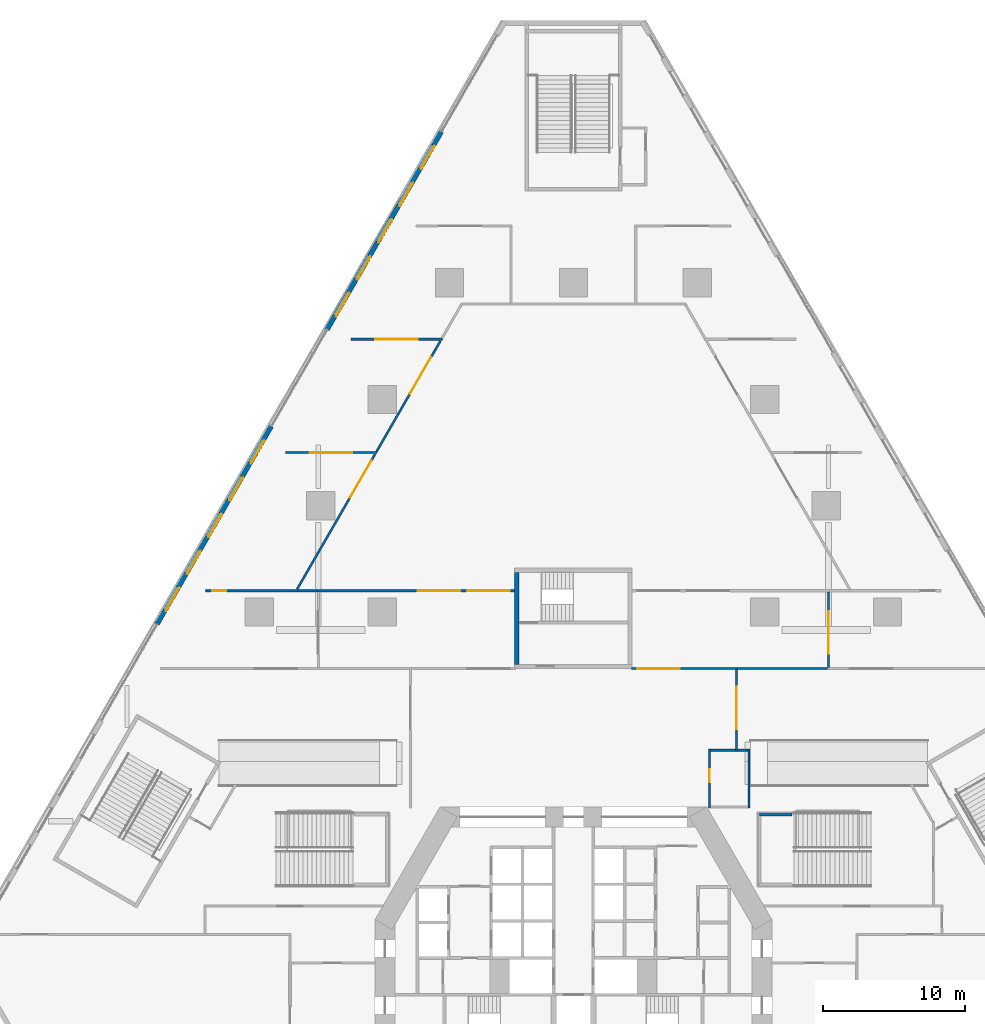
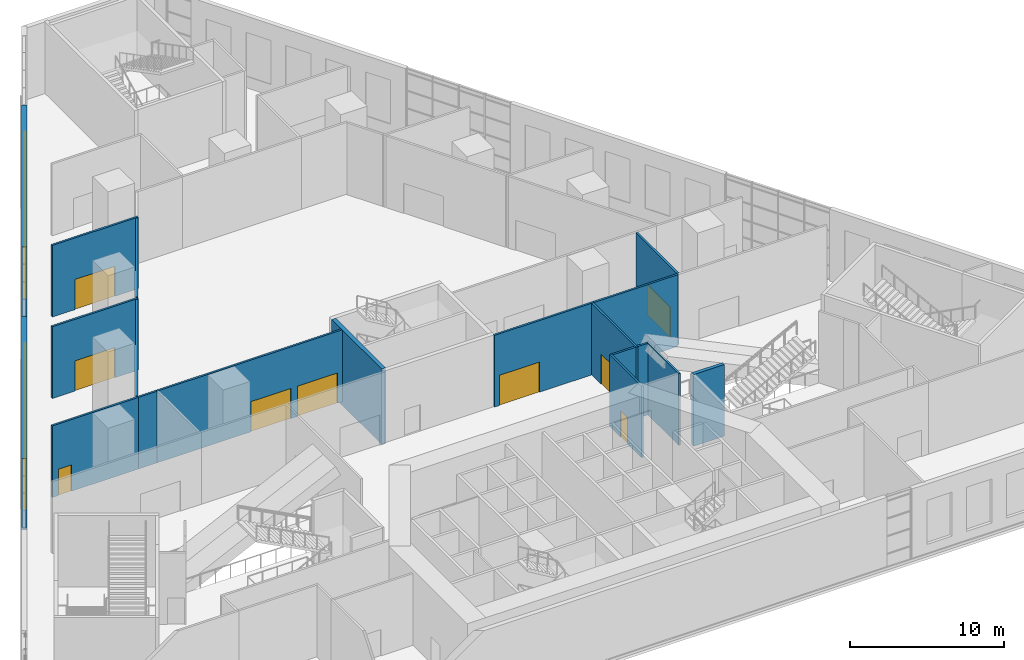
# One storey, part 17 of 27: 19 walls, 11 doors, 10 windows, 21 openings.
"""IFC4 building model written with IfcOpenShell, lengths in metres."""

from ifc_helpers import new_model, si_unit, direction, frame, frame_2d, origin, place, context, subcontext, project, spatial, rectangle, extrude, material, layer, layer_set, type_object, element, fill, save


model = new_model("IFC4")

# Units and contexts
model_context = context("Model", 3, precision=1e-05, world=origin(), true_north=direction((0.0, 1.0)))
body_context = subcontext(model_context, "Body", "Model", "MODEL_VIEW")
ifc_project = project(units=[si_unit("LENGTHUNIT", "METRE"), si_unit("AREAUNIT", "SQUARE_METRE"), si_unit("VOLUMEUNIT", "CUBIC_METRE"), si_unit("PLANEANGLEUNIT", "RADIAN"), si_unit("MASSUNIT", "GRAM", prefix="KILO")], contexts=[model_context])

# Site, building, storey
site_placement = place(None, origin())
site = spatial("IfcSite", under=ifc_project, at=site_placement, CompositionType="ELEMENT")
building_placement = place(site_placement, origin())
building = spatial("IfcBuilding", under=site, at=building_placement, Name="Fogline Exchange Tower", CompositionType="ELEMENT")
storey_placement = place(building_placement, frame((0.0, 0.0, 8.0)))
storey = spatial("IfcBuildingStorey", under=building, at=storey_placement, Name="L01", CompositionType="ELEMENT", Elevation=8.0)

# Wall
ifc_material_1 = material(Name="Concrete C40", Category="concrete")
ifc_layer_1 = layer(ifc_material_1, 0.300048828125)
ifc_layer_set_1 = layer_set([ifc_layer_1], Name="CW30")
wall_type_1 = type_object("IfcWallType", Name="CW30", PredefinedType="SOLIDWALL", material=ifc_layer_set_1)
wall_1_placement = place(storey_placement, frame((-4.0, 29.056884765625, -0.300048828125), z_axis=(0.0, 0.0, 1.0), x_axis=(0.0, 1.0, 0.0)))
element("IfcWall", 1, at=wall_1_placement, inside=storey, type_object=wall_type_1, Name="Stair enclosure wall ST3", PredefinedType="SOLIDWALL", context=body_context, shape_type="SweptSolid", body=[
    extrude(rectangle(XDim=6.5, YDim=0.300048828125, at=frame_2d((3.25, 0.0))), origin(), (0.0, 0.0, 1.0), 6.0),
])

# Wall, openings, windows
ifc_material_2 = material(Name="Brick masonry", Category="masonry")
ifc_layer_2 = layer(ifc_material_2, 0.340087890625)
ifc_layer_set_2 = layer_set([ifc_layer_2], Name="FW1")
wall_type_2 = type_object("IfcWallType", Name="FW1", PredefinedType="SOLIDWALL", material=ifc_layer_set_2)
wall_2_placement = place(storey_placement, frame((-9.323974609375, 66.648681640625, 0.0), z_axis=(0.0, 0.0, 1.0), x_axis=(-0.500010528026, -0.866019325341, 0.0)))
wall_2 = element("IfcWall", 2, at=wall_2_placement, inside=storey, type_object=wall_type_2, Name="Brick wall L01 W bay 2", PredefinedType="SOLIDWALL", context=body_context, shape_type="SweptSolid", body=[
    extrude(rectangle(XDim=16.114990234375, YDim=0.340087890625, at=frame_2d((8.0576171875, 0.0))), origin(), (0.0, 0.0, 1.0), 5.699951171875),
])
opening_1_placement = place(wall_2_placement, frame((1.114990234375, 0.0, 0.89990234375)))
opening_1 = element("IfcOpeningElement", 3, at=opening_1_placement, cuts=wall_2, Name="Opening W7", PredefinedType="OPENING", context=body_context, shape_type="SweptSolid", body=[
    extrude(rectangle(XDim=1.885009765625, YDim=3.5, at=frame_2d((0.9423828125, 1.75))), frame((0.0, 0.18017578125, 0.0), z_axis=(0.0, -1.0, 0.0), x_axis=(1.0, 0.0, 0.0)), (0.0, 0.0, 1.0), 0.360107421875),
])
opening_2_placement = place(wall_2_placement, frame((4.114990234375, 0.0, 0.89990234375)))
opening_2 = element("IfcOpeningElement", 4, at=opening_2_placement, cuts=wall_2, Name="Opening W7", PredefinedType="OPENING", context=body_context, shape_type="SweptSolid", body=[
    extrude(rectangle(XDim=1.885009765625, YDim=3.5, at=frame_2d((0.9423828125, 1.75))), frame((0.0, 0.18017578125, 0.0), z_axis=(0.0, -1.0, 0.0), x_axis=(1.0, 0.0, 0.0)), (0.0, 0.0, 1.0), 0.360107421875),
])
opening_3_placement = place(wall_2_placement, frame((7.114990234375, 0.0, 0.89990234375)))
opening_3 = element("IfcOpeningElement", 5, at=opening_3_placement, cuts=wall_2, Name="Opening W7", PredefinedType="OPENING", context=body_context, shape_type="SweptSolid", body=[
    extrude(rectangle(XDim=1.885009765625, YDim=3.5, at=frame_2d((0.9423828125, 1.75))), frame((0.0, 0.18017578125, 0.0), z_axis=(0.0, -1.0, 0.0), x_axis=(1.0, 0.0, 0.0)), (0.0, 0.0, 1.0), 0.360107421875),
])
opening_4_placement = place(wall_2_placement, frame((10.114990234375, 0.0, 0.89990234375)))
opening_4 = element("IfcOpeningElement", 6, at=opening_4_placement, cuts=wall_2, Name="Opening W7", PredefinedType="OPENING", context=body_context, shape_type="SweptSolid", body=[
    extrude(rectangle(XDim=1.885009765625, YDim=3.5, at=frame_2d((0.9423828125, 1.75))), frame((0.0, 0.18017578125, 0.0), z_axis=(0.0, -1.0, 0.0), x_axis=(1.0, 0.0, 0.0)), (0.0, 0.0, 1.0), 0.360107421875),
])
opening_5_placement = place(wall_2_placement, frame((13.114990234375, 0.0, 0.89990234375)))
opening_5 = element("IfcOpeningElement", 7, at=opening_5_placement, cuts=wall_2, Name="Opening W7", PredefinedType="OPENING", context=body_context, shape_type="SweptSolid", body=[
    extrude(rectangle(XDim=1.885009765625, YDim=3.5, at=frame_2d((0.9423828125, 1.75))), frame((0.0, 0.18017578125, 0.0), z_axis=(0.0, -1.0, 0.0), x_axis=(1.0, 0.0, 0.0)), (0.0, 0.0, 1.0), 0.360107421875),
])
ifc_material_3 = material(Name="Aluminium and glass", Category="aluminium")
window_type = type_object("IfcWindowType", Name="W7", PartitioningType="SINGLE_PANEL", PredefinedType="WINDOW", material=ifc_material_3)
window_1_placement = place(opening_1_placement, origin())
window_1 = element("IfcWindow", 8, at=window_1_placement, inside=storey, type_object=window_type, Name="W7 W7", OverallHeight=3.5, OverallWidth=1.885009765625, PartitioningType="SINGLE_PANEL", PredefinedType="WINDOW", context=body_context, shape_type="SweptSolid", body=[
    extrude(rectangle(XDim=1.885009765625, YDim=3.5, at=frame_2d((0.9423828125, 1.75))), frame((0.0, 0.110107421875, 0.0), z_axis=(0.0, -1.0, 0.0), x_axis=(1.0, 0.0, 0.0)), (0.0, 0.0, 1.0), 0.06005859375),
])
fill(opening_1, window_1)
window_2_placement = place(opening_2_placement, origin())
window_2 = element("IfcWindow", 9, at=window_2_placement, inside=storey, type_object=window_type, Name="W7 W7", OverallHeight=3.5, OverallWidth=1.885009765625, PartitioningType="SINGLE_PANEL", PredefinedType="WINDOW", context=body_context, shape_type="SweptSolid", body=[
    extrude(rectangle(XDim=1.885009765625, YDim=3.5, at=frame_2d((0.9423828125, 1.75))), frame((0.0, 0.110107421875, 0.0), z_axis=(0.0, -1.0, 0.0), x_axis=(1.0, 0.0, 0.0)), (0.0, 0.0, 1.0), 0.06005859375),
])
fill(opening_2, window_2)
window_3_placement = place(opening_3_placement, origin())
window_3 = element("IfcWindow", 10, at=window_3_placement, inside=storey, type_object=window_type, Name="W7 W7", OverallHeight=3.5, OverallWidth=1.885009765625, PartitioningType="SINGLE_PANEL", PredefinedType="WINDOW", context=body_context, shape_type="SweptSolid", body=[
    extrude(rectangle(XDim=1.885009765625, YDim=3.5, at=frame_2d((0.9423828125, 1.75))), frame((0.0, 0.110107421875, 0.0), z_axis=(0.0, -1.0, 0.0), x_axis=(1.0, 0.0, 0.0)), (0.0, 0.0, 1.0), 0.06005859375),
])
fill(opening_3, window_3)
window_4_placement = place(opening_4_placement, origin())
window_4 = element("IfcWindow", 11, at=window_4_placement, inside=storey, type_object=window_type, Name="W7 W7", OverallHeight=3.5, OverallWidth=1.885009765625, PartitioningType="SINGLE_PANEL", PredefinedType="WINDOW", context=body_context, shape_type="SweptSolid", body=[
    extrude(rectangle(XDim=1.885009765625, YDim=3.5, at=frame_2d((0.9423828125, 1.75))), frame((0.0, 0.110107421875, 0.0), z_axis=(0.0, -1.0, 0.0), x_axis=(1.0, 0.0, 0.0)), (0.0, 0.0, 1.0), 0.06005859375),
])
fill(opening_4, window_4)
window_5_placement = place(opening_5_placement, origin())
window_5 = element("IfcWindow", 12, at=window_5_placement, inside=storey, type_object=window_type, Name="W7 W7", OverallHeight=3.5, OverallWidth=1.885009765625, PartitioningType="SINGLE_PANEL", PredefinedType="WINDOW", context=body_context, shape_type="SweptSolid", body=[
    extrude(rectangle(XDim=1.885009765625, YDim=3.5, at=frame_2d((0.9423828125, 1.75))), frame((0.0, 0.110107421875, 0.0), z_axis=(0.0, -1.0, 0.0), x_axis=(1.0, 0.0, 0.0)), (0.0, 0.0, 1.0), 0.06005859375),
])
fill(opening_5, window_5)

wall_3_placement = place(storey_placement, frame((-21.323974609375, 45.8642578125, 0.0), z_axis=(0.0, 0.0, 1.0), x_axis=(-0.500003967864, -0.866023112925, 0.0)))
wall_3 = element("IfcWall", 13, at=wall_3_placement, inside=storey, type_object=wall_type_2, Name="Brick wall L01 W bay 3", PredefinedType="SOLIDWALL", context=body_context, shape_type="SweptSolid", body=[
    extrude(rectangle(XDim=16.114990234375, YDim=0.340087890625, at=frame_2d((8.0576171875, 0.0))), origin(), (0.0, 0.0, 1.0), 5.699951171875),
])
opening_6_placement = place(wall_3_placement, frame((1.114990234375, 0.0, 0.89990234375)))
opening_6 = element("IfcOpeningElement", 14, at=opening_6_placement, cuts=wall_3, Name="Opening W7", PredefinedType="OPENING", context=body_context, shape_type="SweptSolid", body=[
    extrude(rectangle(XDim=1.885009765625, YDim=3.5, at=frame_2d((0.9423828125, 1.75))), frame((0.0, 0.18017578125, 0.0), z_axis=(0.0, -1.0, 0.0), x_axis=(1.0, 0.0, 0.0)), (0.0, 0.0, 1.0), 0.360107421875),
])
opening_7_placement = place(wall_3_placement, frame((4.114990234375, 0.0, 0.89990234375)))
opening_7 = element("IfcOpeningElement", 15, at=opening_7_placement, cuts=wall_3, Name="Opening W7", PredefinedType="OPENING", context=body_context, shape_type="SweptSolid", body=[
    extrude(rectangle(XDim=1.885009765625, YDim=3.5, at=frame_2d((0.9423828125, 1.75))), frame((0.0, 0.18017578125, 0.0), z_axis=(0.0, -1.0, 0.0), x_axis=(1.0, 0.0, 0.0)), (0.0, 0.0, 1.0), 0.360107421875),
])
opening_8_placement = place(wall_3_placement, frame((7.114990234375, 0.0, 0.89990234375)))
opening_8 = element("IfcOpeningElement", 16, at=opening_8_placement, cuts=wall_3, Name="Opening W7", PredefinedType="OPENING", context=body_context, shape_type="SweptSolid", body=[
    extrude(rectangle(XDim=1.885009765625, YDim=3.5, at=frame_2d((0.9423828125, 1.75))), frame((0.0, 0.18017578125, 0.0), z_axis=(0.0, -1.0, 0.0), x_axis=(1.0, 0.0, 0.0)), (0.0, 0.0, 1.0), 0.360107421875),
])
opening_9_placement = place(wall_3_placement, frame((10.114990234375, 0.0, 0.89990234375)))
opening_9 = element("IfcOpeningElement", 17, at=opening_9_placement, cuts=wall_3, Name="Opening W7", PredefinedType="OPENING", context=body_context, shape_type="SweptSolid", body=[
    extrude(rectangle(XDim=1.885009765625, YDim=3.5, at=frame_2d((0.9423828125, 1.75))), frame((0.0, 0.18017578125, 0.0), z_axis=(0.0, -1.0, 0.0), x_axis=(1.0, 0.0, 0.0)), (0.0, 0.0, 1.0), 0.360107421875),
])
opening_10_placement = place(wall_3_placement, frame((13.114990234375, 0.0, 0.89990234375)))
opening_10 = element("IfcOpeningElement", 18, at=opening_10_placement, cuts=wall_3, Name="Opening W7", PredefinedType="OPENING", context=body_context, shape_type="SweptSolid", body=[
    extrude(rectangle(XDim=1.885009765625, YDim=3.5, at=frame_2d((0.9423828125, 1.75))), frame((0.0, 0.18017578125, 0.0), z_axis=(0.0, -1.0, 0.0), x_axis=(1.0, 0.0, 0.0)), (0.0, 0.0, 1.0), 0.360107421875),
])
window_6_placement = place(opening_6_placement, origin())
window_6 = element("IfcWindow", 19, at=window_6_placement, inside=storey, type_object=window_type, Name="W7 W7", OverallHeight=3.5, OverallWidth=1.885009765625, PartitioningType="SINGLE_PANEL", PredefinedType="WINDOW", context=body_context, shape_type="SweptSolid", body=[
    extrude(rectangle(XDim=1.885009765625, YDim=3.5, at=frame_2d((0.9423828125, 1.75))), frame((0.0, 0.110107421875, 0.0), z_axis=(0.0, -1.0, 0.0), x_axis=(1.0, 0.0, 0.0)), (0.0, 0.0, 1.0), 0.06005859375),
])
fill(opening_6, window_6)
window_7_placement = place(opening_7_placement, origin())
window_7 = element("IfcWindow", 20, at=window_7_placement, inside=storey, type_object=window_type, Name="W7 W7", OverallHeight=3.5, OverallWidth=1.885009765625, PartitioningType="SINGLE_PANEL", PredefinedType="WINDOW", context=body_context, shape_type="SweptSolid", body=[
    extrude(rectangle(XDim=1.885009765625, YDim=3.5, at=frame_2d((0.9423828125, 1.75))), frame((0.0, 0.110107421875, 0.0), z_axis=(0.0, -1.0, 0.0), x_axis=(1.0, 0.0, 0.0)), (0.0, 0.0, 1.0), 0.06005859375),
])
fill(opening_7, window_7)
window_8_placement = place(opening_8_placement, origin())
window_8 = element("IfcWindow", 21, at=window_8_placement, inside=storey, type_object=window_type, Name="W7 W7", OverallHeight=3.5, OverallWidth=1.885009765625, PartitioningType="SINGLE_PANEL", PredefinedType="WINDOW", context=body_context, shape_type="SweptSolid", body=[
    extrude(rectangle(XDim=1.885009765625, YDim=3.5, at=frame_2d((0.9423828125, 1.75))), frame((0.0, 0.110107421875, 0.0), z_axis=(0.0, -1.0, 0.0), x_axis=(1.0, 0.0, 0.0)), (0.0, 0.0, 1.0), 0.06005859375),
])
fill(opening_8, window_8)
window_9_placement = place(opening_9_placement, origin())
window_9 = element("IfcWindow", 22, at=window_9_placement, inside=storey, type_object=window_type, Name="W7 W7", OverallHeight=3.5, OverallWidth=1.885009765625, PartitioningType="SINGLE_PANEL", PredefinedType="WINDOW", context=body_context, shape_type="SweptSolid", body=[
    extrude(rectangle(XDim=1.885009765625, YDim=3.5, at=frame_2d((0.9423828125, 1.75))), frame((0.0, 0.110107421875, 0.0), z_axis=(0.0, -1.0, 0.0), x_axis=(1.0, 0.0, 0.0)), (0.0, 0.0, 1.0), 0.06005859375),
])
fill(opening_9, window_9)
window_10_placement = place(opening_10_placement, origin())
window_10 = element("IfcWindow", 23, at=window_10_placement, inside=storey, type_object=window_type, Name="W7 W7", OverallHeight=3.5, OverallWidth=1.885009765625, PartitioningType="SINGLE_PANEL", PredefinedType="WINDOW", context=body_context, shape_type="SweptSolid", body=[
    extrude(rectangle(XDim=1.885009765625, YDim=3.5, at=frame_2d((0.9423828125, 1.75))), frame((0.0, 0.110107421875, 0.0), z_axis=(0.0, -1.0, 0.0), x_axis=(1.0, 0.0, 0.0)), (0.0, 0.0, 1.0), 0.06005859375),
])
fill(opening_10, window_10)

# Wall, opening, door
ifc_material_4 = material(Name="Plasterboard on steel stud", Category="steel")
ifc_layer_3 = layer(ifc_material_4, 0.14990234375)
ifc_layer_set_3 = layer_set([ifc_layer_3], Name="PP1")
wall_type_3 = type_object("IfcWallType", Name="PP1", PredefinedType="PARTITIONING", material=ifc_layer_set_3)
wall_4_placement = place(storey_placement, frame((9.60009765625, 18.925048828125, 0.0), z_axis=(0.0, 0.0, 1.0), x_axis=(0.0, 1.0, 0.0)))
wall_4 = element("IfcWall", 24, at=wall_4_placement, inside=storey, type_object=wall_type_3, Name="PP1 partition", PredefinedType="PARTITIONING", context=body_context, shape_type="SweptSolid", body=[
    extrude(rectangle(XDim=4.14990234375, YDim=0.14990234375, at=frame_2d((2.074951171875, 0.0))), origin(), (0.0, 0.0, 1.0), 5.699951171875),
])
opening_11_placement = place(wall_4_placement, frame((1.824951171875, 0.0, 0.0)))
opening_11 = element("IfcOpeningElement", 25, at=opening_11_placement, cuts=wall_4, Name="Opening P01-D007", PredefinedType="OPENING", context=body_context, shape_type="SweptSolid", body=[
    extrude(rectangle(XDim=0.89990234375, YDim=2.10009765625, at=frame_2d((0.449951171875, 1.050048828125))), frame((0.0, 0.0849609375, 0.0), z_axis=(0.0, -1.0, 0.0), x_axis=(1.0, 0.0, 0.0)), (0.0, 0.0, 1.0), 0.169921875),
])
ifc_material_5 = material(Name="Timber", Category="wood")
door_type_1 = type_object("IfcDoorType", Name="PD2", OperationType="SINGLE_SWING_LEFT", PredefinedType="DOOR", material=ifc_material_5)
door_1_placement = place(opening_11_placement, frame((0.89990234375, 0.0, 0.0), z_axis=(0.0, 0.0, 1.0), x_axis=(-1.0, 0.0, 0.0)))
door_1 = element("IfcDoor", 26, at=door_1_placement, inside=storey, type_object=door_type_1, Name="P01-D007", OperationType="SINGLE_SWING_LEFT", OverallHeight=2.10009765625, OverallWidth=0.89990234375, PredefinedType="DOOR", context=body_context, shape_type="SweptSolid", body=[
    extrude(rectangle(XDim=0.89990234375, YDim=2.10009765625, at=frame_2d((0.449951171875, 1.050048828125))), frame((0.0, 0.02490234375, 0.0), z_axis=(0.0, -1.0, 0.0), x_axis=(1.0, 0.0, 0.0)), (0.0, 0.0, 1.0), 0.050048828125),
])
fill(opening_11, door_1)

# Walls
wall_5_placement = place(storey_placement, frame((9.675048828125, 23.0, 0.0), z_axis=(0.0, 0.0, 1.0), x_axis=(1.0, 0.0, 0.0)))
element("IfcWall", 27, at=wall_5_placement, inside=storey, type_object=wall_type_3, Name="PP1 partition", PredefinedType="PARTITIONING", context=body_context, shape_type="SweptSolid", body=[
    extrude(rectangle(XDim=1.75, YDim=0.14990234375, at=frame_2d((0.875, 0.0))), origin(), (0.0, 0.0, 1.0), 5.699951171875),
])
wall_6_placement = place(storey_placement, frame((11.574951171875, 23.0, 0.0), z_axis=(0.0, 0.0, 1.0), x_axis=(1.0, 0.0, 0.0)))
element("IfcWall", 28, at=wall_6_placement, inside=storey, type_object=wall_type_3, Name="PP1 partition", PredefinedType="PARTITIONING", context=body_context, shape_type="SweptSolid", body=[
    extrude(rectangle(XDim=0.75, YDim=0.14990234375, at=frame_2d((0.375, 0.0))), origin(), (0.0, 0.0, 1.0), 5.699951171875),
])
wall_7_placement = place(storey_placement, frame((12.39990234375, 23.074951171875, 0.0), z_axis=(0.0, 0.0, 1.0), x_axis=(0.0, -1.0, 0.0)))
element("IfcWall", 29, at=wall_7_placement, inside=storey, type_object=wall_type_3, Name="PP1 partition", PredefinedType="PARTITIONING", context=body_context, shape_type="SweptSolid", body=[
    extrude(rectangle(XDim=4.14990234375, YDim=0.14990234375, at=frame_2d((2.074951171875, 0.0))), origin(), (0.0, 0.0, 1.0), 5.699951171875),
])

# Wall, opening, door
wall_8_placement = place(storey_placement, frame((11.5, 28.68505859375, 0.0), z_axis=(0.0, 0.0, 1.0), x_axis=(0.0, -1.0, 0.0)))
wall_8 = element("IfcWall", 30, at=wall_8_placement, inside=storey, type_object=wall_type_3, Name="PP1 partition", PredefinedType="PARTITIONING", context=body_context, shape_type="SweptSolid", body=[
    extrude(rectangle(XDim=5.760009765625, YDim=0.14990234375, at=frame_2d((2.8798828125, 0.0))), origin(), (0.0, 0.0, 1.0), 5.699951171875),
])
opening_12_placement = place(wall_8_placement, frame((1.18505859375, 0.0, 0.0)))
opening_12 = element("IfcOpeningElement", 31, at=opening_12_placement, cuts=wall_8, Name="Opening P01-D019", PredefinedType="OPENING", context=body_context, shape_type="SweptSolid", body=[
    extrude(rectangle(XDim=3.0, YDim=2.39990234375, at=frame_2d((1.5, 1.199951171875))), frame((0.0, 0.0849609375, 0.0), z_axis=(0.0, -1.0, 0.0), x_axis=(1.0, 0.0, 0.0)), (0.0, 0.0, 1.0), 0.169921875),
])
ifc_material_6 = material(Name="Steel Q235B", Category="steel")
door_type_2 = type_object("IfcDoorType", Name="PD13", OperationType="DOUBLE_DOOR_SINGLE_SWING", PredefinedType="DOOR", material=ifc_material_6)
door_2_placement = place(opening_12_placement, origin())
door_2 = element("IfcDoor", 32, at=door_2_placement, inside=storey, type_object=door_type_2, Name="P01-D019", OperationType="DOUBLE_DOOR_SINGLE_SWING", OverallHeight=2.39990234375, OverallWidth=3.0, PredefinedType="DOOR", context=body_context, shape_type="SweptSolid", body=[
    extrude(rectangle(XDim=3.0, YDim=2.39990234375, at=frame_2d((1.5, 1.199951171875))), frame((0.0, 0.02490234375, 0.0), z_axis=(0.0, -1.0, 0.0), x_axis=(1.0, 0.0, 0.0)), (0.0, 0.0, 1.0), 0.050048828125),
])
fill(opening_12, door_2)

wall_9_placement = place(storey_placement, frame((4.10498046875, 28.760009765625, 0.0), z_axis=(0.0, 0.0, 1.0), x_axis=(1.0, 0.0, 0.0)))
wall_9 = element("IfcWall", 33, at=wall_9_placement, inside=storey, type_object=wall_type_3, Name="PP1 partition", PredefinedType="PARTITIONING", context=body_context, shape_type="SweptSolid", body=[
    extrude(rectangle(XDim=7.469970703125, YDim=0.14990234375, at=frame_2d((3.73486328125, 0.0))), origin(), (0.0, 0.0, 1.0), 5.699951171875),
])
opening_13_placement = place(wall_9_placement, frame((0.39501953125, 0.0, 0.0)))
opening_13 = element("IfcOpeningElement", 34, at=opening_13_placement, cuts=wall_9, Name="Opening P01-D031", PredefinedType="OPENING", context=body_context, shape_type="SweptSolid", body=[
    extrude(rectangle(XDim=3.0, YDim=2.39990234375, at=frame_2d((1.5, 1.199951171875))), frame((0.0, 0.0849609375, 0.0), z_axis=(0.0, -1.0, 0.0), x_axis=(1.0, 0.0, 0.0)), (0.0, 0.0, 1.0), 0.169921875),
])
door_3_placement = place(opening_13_placement, origin())
door_3 = element("IfcDoor", 35, at=door_3_placement, inside=storey, type_object=door_type_2, Name="P01-D031", OperationType="DOUBLE_DOOR_SINGLE_SWING", OverallHeight=2.39990234375, OverallWidth=3.0, PredefinedType="DOOR", context=body_context, shape_type="SweptSolid", body=[
    extrude(rectangle(XDim=3.0, YDim=2.39990234375, at=frame_2d((1.5, 1.199951171875))), frame((0.0, 0.02490234375, 0.0), z_axis=(0.0, -1.0, 0.0), x_axis=(1.0, 0.0, 0.0)), (0.0, 0.0, 1.0), 0.050048828125),
])
fill(opening_13, door_3)

# Wall
wall_10_placement = place(storey_placement, frame((11.574951171875, 28.760009765625, 0.0), z_axis=(0.0, 0.0, 1.0), x_axis=(1.0, 0.0, 0.0)))
element("IfcWall", 36, at=wall_10_placement, inside=storey, type_object=wall_type_3, Name="PP1 partition", PredefinedType="PARTITIONING", context=body_context, shape_type="SweptSolid", body=[
    extrude(rectangle(XDim=6.35009765625, YDim=0.14990234375, at=frame_2d((3.175048828125, 0.0))), origin(), (0.0, 0.0, 1.0), 5.699951171875),
])

# Wall, opening, door
wall_11_placement = place(storey_placement, frame((18.0, 28.8349609375, 0.0), z_axis=(0.0, 0.0, 1.0), x_axis=(0.0, 1.0, 0.0)))
wall_11 = element("IfcWall", 37, at=wall_11_placement, inside=storey, type_object=wall_type_3, Name="PP1 partition", PredefinedType="PARTITIONING", context=body_context, shape_type="SweptSolid", body=[
    extrude(rectangle(XDim=5.35009765625, YDim=0.14990234375, at=frame_2d((2.675048828125, 0.0))), origin(), (0.0, 0.0, 1.0), 5.699951171875),
])
opening_14_placement = place(wall_11_placement, frame((0.965087890625, 0.0, 0.0)))
opening_14 = element("IfcOpeningElement", 38, at=opening_14_placement, cuts=wall_11, Name="Opening P01-D027", PredefinedType="OPENING", context=body_context, shape_type="SweptSolid", body=[
    extrude(rectangle(XDim=3.0, YDim=2.39990234375, at=frame_2d((1.5, 1.199951171875))), frame((0.0, 0.0849609375, 0.0), z_axis=(0.0, -1.0, 0.0), x_axis=(1.0, 0.0, 0.0)), (0.0, 0.0, 1.0), 0.169921875),
])
door_4_placement = place(opening_14_placement, frame((3.0, 0.0, 0.0), z_axis=(0.0, 0.0, 1.0), x_axis=(-1.0, 0.0, 0.0)))
door_4 = element("IfcDoor", 39, at=door_4_placement, inside=storey, type_object=door_type_2, Name="P01-D027", OperationType="DOUBLE_DOOR_SINGLE_SWING", OverallHeight=2.39990234375, OverallWidth=3.0, PredefinedType="DOOR", context=body_context, shape_type="SweptSolid", body=[
    extrude(rectangle(XDim=3.0, YDim=2.39990234375, at=frame_2d((1.5, 1.199951171875))), frame((0.0, 0.02490234375, 0.0), z_axis=(0.0, -1.0, 0.0), x_axis=(1.0, 0.0, 0.0)), (0.0, 0.0, 1.0), 0.050048828125),
])
fill(opening_14, door_4)

wall_12_placement = place(storey_placement, frame((-25.950927734375, 34.260009765625, 0.0), z_axis=(0.0, 0.0, 1.0), x_axis=(1.0, 0.0, 0.0)))
wall_12 = element("IfcWall", 40, at=wall_12_placement, inside=storey, type_object=wall_type_3, Name="PP1 partition", PredefinedType="PARTITIONING", context=body_context, shape_type="SweptSolid", body=[
    extrude(rectangle(XDim=6.46630859375, YDim=0.14990234375, at=frame_2d((3.233154296875, 0.0))), origin(), (0.0, 0.0, 1.0), 5.699951171875),
])
opening_15_placement = place(wall_12_placement, frame((0.450927734375, 0.0, 0.0)))
opening_15 = element("IfcOpeningElement", 41, at=opening_15_placement, cuts=wall_12, Name="Opening P01-D032", PredefinedType="OPENING", context=body_context, shape_type="SweptSolid", body=[
    extrude(rectangle(XDim=1.0, YDim=2.10009765625, at=frame_2d((0.5, 1.050048828125))), frame((0.0, 0.0849609375, 0.0), z_axis=(0.0, -1.0, 0.0), x_axis=(1.0, 0.0, 0.0)), (0.0, 0.0, 1.0), 0.169921875),
])
door_type_3 = type_object("IfcDoorType", Name="PD1", OperationType="SINGLE_SWING_LEFT", PredefinedType="DOOR", material=ifc_material_5)
door_5_placement = place(opening_15_placement, frame((1.0, 0.0, 0.0), z_axis=(0.0, 0.0, 1.0), x_axis=(-1.0, 0.0, 0.0)))
door_5 = element("IfcDoor", 42, at=door_5_placement, inside=storey, type_object=door_type_3, Name="P01-D032", OperationType="SINGLE_SWING_RIGHT", OverallHeight=2.10009765625, OverallWidth=1.0, PredefinedType="DOOR", context=body_context, shape_type="SweptSolid", body=[
    extrude(rectangle(XDim=1.0, YDim=2.10009765625, at=frame_2d((0.5, 1.050048828125))), frame((0.0, 0.02490234375, 0.0), z_axis=(0.0, -1.0, 0.0), x_axis=(1.0, 0.0, 0.0)), (0.0, 0.0, 1.0), 0.050048828125),
])
fill(opening_15, door_5)

# Wall
wall_13_placement = place(storey_placement, frame((-18.074951171875, 34.260009765625, 0.0), z_axis=(0.0, 0.0, 1.0), x_axis=(-1.0, 0.0, 0.0)))
element("IfcWall", 43, at=wall_13_placement, inside=storey, type_object=wall_type_3, Name="PP1 partition", PredefinedType="PARTITIONING", context=body_context, shape_type="SweptSolid", body=[
    extrude(rectangle(XDim=1.40966796875, YDim=0.14990234375, at=frame_2d((0.704833984375, 0.0))), origin(), (0.0, 0.0, 1.0), 5.699951171875),
])

# Wall, openings, doors
wall_14_placement = place(storey_placement, frame((-4.10498046875, 34.260009765625, 0.0), z_axis=(0.0, 0.0, 1.0), x_axis=(-1.0, 0.0, 0.0)))
wall_14 = element("IfcWall", 44, at=wall_14_placement, inside=storey, type_object=wall_type_3, Name="PP1 partition", PredefinedType="PARTITIONING", context=body_context, shape_type="SweptSolid", body=[
    extrude(rectangle(XDim=13.969970703125, YDim=0.14990234375, at=frame_2d((6.98486328125, 0.0))), origin(), (0.0, 0.0, 1.0), 5.699951171875),
])
opening_16_placement = place(wall_14_placement, frame((3.89501953125, 0.0, 0.0)))
opening_16 = element("IfcOpeningElement", 45, at=opening_16_placement, cuts=wall_14, Name="Opening P01-D034", PredefinedType="OPENING", context=body_context, shape_type="SweptSolid", body=[
    extrude(rectangle(XDim=3.0, YDim=2.39990234375, at=frame_2d((1.5, 1.199951171875))), frame((0.0, 0.0849609375, 0.0), z_axis=(0.0, -1.0, 0.0), x_axis=(1.0, 0.0, 0.0)), (0.0, 0.0, 1.0), 0.169921875),
])
opening_17_placement = place(wall_14_placement, frame((0.39501953125, 0.0, 0.0)))
opening_17 = element("IfcOpeningElement", 46, at=opening_17_placement, cuts=wall_14, Name="Opening P01-D036", PredefinedType="OPENING", context=body_context, shape_type="SweptSolid", body=[
    extrude(rectangle(XDim=3.0, YDim=2.39990234375, at=frame_2d((1.5, 1.199951171875))), frame((0.0, 0.0849609375, 0.0), z_axis=(0.0, -1.0, 0.0), x_axis=(1.0, 0.0, 0.0)), (0.0, 0.0, 1.0), 0.169921875),
])
door_6_placement = place(opening_16_placement, frame((3.0, 0.0, 0.0), z_axis=(0.0, 0.0, 1.0), x_axis=(-1.0, 0.0, 0.0)))
door_6 = element("IfcDoor", 47, at=door_6_placement, inside=storey, type_object=door_type_2, Name="P01-D034", OperationType="DOUBLE_DOOR_SINGLE_SWING", OverallHeight=2.39990234375, OverallWidth=3.0, PredefinedType="DOOR", context=body_context, shape_type="SweptSolid", body=[
    extrude(rectangle(XDim=3.0, YDim=2.39990234375, at=frame_2d((1.5, 1.199951171875))), frame((0.0, 0.02490234375, 0.0), z_axis=(0.0, -1.0, 0.0), x_axis=(1.0, 0.0, 0.0)), (0.0, 0.0, 1.0), 0.050048828125),
])
fill(opening_16, door_6)
door_7_placement = place(opening_17_placement, frame((3.0, 0.0, 0.0), z_axis=(0.0, 0.0, 1.0), x_axis=(-1.0, 0.0, 0.0)))
door_7 = element("IfcDoor", 48, at=door_7_placement, inside=storey, type_object=door_type_2, Name="P01-D036", OperationType="DOUBLE_DOOR_SINGLE_SWING", OverallHeight=2.39990234375, OverallWidth=3.0, PredefinedType="DOOR", context=body_context, shape_type="SweptSolid", body=[
    extrude(rectangle(XDim=3.0, YDim=2.39990234375, at=frame_2d((1.5, 1.199951171875))), frame((0.0, 0.02490234375, 0.0), z_axis=(0.0, -1.0, 0.0), x_axis=(1.0, 0.0, 0.0)), (0.0, 0.0, 1.0), 0.050048828125),
])
fill(opening_17, door_7)

# Wall, opening, door
wall_15_placement = place(storey_placement, frame((-19.493896484375, 34.3740234375, 0.0), z_axis=(0.0, 0.0, 1.0), x_axis=(0.500006534994, 0.866021630771, 0.0)))
wall_15 = element("IfcWall", 49, at=wall_15_placement, inside=storey, type_object=wall_type_3, Name="PP1 partition", PredefinedType="PARTITIONING", context=body_context, shape_type="SweptSolid", body=[
    extrude(rectangle(XDim=10.985107421875, YDim=0.14990234375, at=frame_2d((5.49267578125, 0.0))), origin(), (0.0, 0.0, 1.0), 5.699951171875),
])
opening_18_placement = place(wall_15_placement, frame((7.474609375, 0.0, 0.0)))
opening_18 = element("IfcOpeningElement", 50, at=opening_18_placement, cuts=wall_15, Name="Opening P01-D038", PredefinedType="OPENING", context=body_context, shape_type="SweptSolid", body=[
    extrude(rectangle(XDim=3.0, YDim=2.39990234375, at=frame_2d((1.5, 1.199951171875))), frame((0.0, 0.0849609375, 0.0), z_axis=(0.0, -1.0, 0.0), x_axis=(1.0, 0.0, 0.0)), (0.0, 0.0, 1.0), 0.169921875),
])
door_8_placement = place(opening_18_placement, frame((3.0, 0.0, 0.0), z_axis=(0.0, 0.0, 1.0), x_axis=(-1.0, 0.0, 0.0)))
door_8 = element("IfcDoor", 51, at=door_8_placement, inside=storey, type_object=door_type_2, Name="P01-D038", OperationType="DOUBLE_DOOR_SINGLE_SWING", OverallHeight=2.39990234375, OverallWidth=3.0, PredefinedType="DOOR", context=body_context, shape_type="SweptSolid", body=[
    extrude(rectangle(XDim=3.0, YDim=2.39990234375, at=frame_2d((1.5, 1.199951171875))), frame((0.0, 0.02490234375, 0.0), z_axis=(0.0, -1.0, 0.0), x_axis=(1.0, 0.0, 0.0)), (0.0, 0.0, 1.0), 0.050048828125),
])
fill(opening_18, door_8)

wall_16_placement = place(storey_placement, frame((-20.327392578125, 44.0, 0.0), z_axis=(0.0, 0.0, 1.0), x_axis=(1.0, 0.0, 0.0)))
wall_16 = element("IfcWall", 52, at=wall_16_placement, inside=storey, type_object=wall_type_3, Name="PP1 partition", PredefinedType="PARTITIONING", context=body_context, shape_type="SweptSolid", body=[
    extrude(rectangle(XDim=6.466064453125, YDim=0.14990234375, at=frame_2d((3.23291015625, 0.0))), origin(), (0.0, 0.0, 1.0), 5.699951171875),
])
opening_19_placement = place(wall_16_placement, frame((1.7158203125, 0.0, 0.0)))
opening_19 = element("IfcOpeningElement", 53, at=opening_19_placement, cuts=wall_16, Name="Opening P01-D022", PredefinedType="OPENING", context=body_context, shape_type="SweptSolid", body=[
    extrude(rectangle(XDim=3.0, YDim=2.39990234375, at=frame_2d((1.5, 1.199951171875))), frame((0.0, 0.0849609375, 0.0), z_axis=(0.0, -1.0, 0.0), x_axis=(1.0, 0.0, 0.0)), (0.0, 0.0, 1.0), 0.169921875),
])
door_9_placement = place(opening_19_placement, origin())
door_9 = element("IfcDoor", 54, at=door_9_placement, inside=storey, type_object=door_type_2, Name="P01-D022", OperationType="DOUBLE_DOOR_SINGLE_SWING", OverallHeight=2.39990234375, OverallWidth=3.0, PredefinedType="DOOR", context=body_context, shape_type="SweptSolid", body=[
    extrude(rectangle(XDim=3.0, YDim=2.39990234375, at=frame_2d((1.5, 1.199951171875))), frame((0.0, 0.02490234375, 0.0), z_axis=(0.0, -1.0, 0.0), x_axis=(1.0, 0.0, 0.0)), (0.0, 0.0, 1.0), 0.050048828125),
])
fill(opening_19, door_9)

wall_17_placement = place(storey_placement, frame((-13.885498046875, 44.087890625, 0.0), z_axis=(0.0, 0.0, 1.0), x_axis=(0.499987617168, 0.866032552898, 0.0)))
wall_17 = element("IfcWall", 55, at=wall_17_placement, inside=storey, type_object=wall_type_3, Name="PP1 partition", PredefinedType="PARTITIONING", context=body_context, shape_type="SweptSolid", body=[
    extrude(rectangle(XDim=9.006103515625, YDim=0.14990234375, at=frame_2d((4.5029296875, 0.0))), origin(), (0.0, 0.0, 1.0), 5.699951171875),
])
opening_20_placement = place(wall_17_placement, frame((4.6796875, 0.0, 0.0)))
opening_20 = element("IfcOpeningElement", 56, at=opening_20_placement, cuts=wall_17, Name="Opening P01-D040", PredefinedType="OPENING", context=body_context, shape_type="SweptSolid", body=[
    extrude(rectangle(XDim=3.0, YDim=2.39990234375, at=frame_2d((1.5, 1.199951171875))), frame((0.0, 0.0849609375, 0.0), z_axis=(0.0, -1.0, 0.0), x_axis=(1.0, 0.0, 0.0)), (0.0, 0.0, 1.0), 0.169921875),
])
door_10_placement = place(opening_20_placement, frame((3.0, 0.0, 0.0), z_axis=(0.0, 0.0, 1.0), x_axis=(-1.0, 0.0, 0.0)))
door_10 = element("IfcDoor", 57, at=door_10_placement, inside=storey, type_object=door_type_2, Name="P01-D040", OperationType="DOUBLE_DOOR_SINGLE_SWING", OverallHeight=2.39990234375, OverallWidth=3.0, PredefinedType="DOOR", context=body_context, shape_type="SweptSolid", body=[
    extrude(rectangle(XDim=3.0, YDim=2.39990234375, at=frame_2d((1.5, 1.199951171875))), frame((0.0, 0.02490234375, 0.0), z_axis=(0.0, -1.0, 0.0), x_axis=(1.0, 0.0, 0.0)), (0.0, 0.0, 1.0), 0.050048828125),
])
fill(opening_20, door_10)

wall_18_placement = place(storey_placement, frame((-15.708740234375, 52.0, 0.0), z_axis=(0.0, 0.0, 1.0), x_axis=(1.0, 0.0, 0.0)))
wall_18 = element("IfcWall", 58, at=wall_18_placement, inside=storey, type_object=wall_type_3, Name="PP1 partition", PredefinedType="PARTITIONING", context=body_context, shape_type="SweptSolid", body=[
    extrude(rectangle(XDim=6.46630859375, YDim=0.14990234375, at=frame_2d((3.233154296875, 0.0))), origin(), (0.0, 0.0, 1.0), 5.699951171875),
])
opening_21_placement = place(wall_18_placement, frame((1.7158203125, 0.0, 0.0)))
opening_21 = element("IfcOpeningElement", 59, at=opening_21_placement, cuts=wall_18, Name="Opening P01-D024", PredefinedType="OPENING", context=body_context, shape_type="SweptSolid", body=[
    extrude(rectangle(XDim=3.0, YDim=2.39990234375, at=frame_2d((1.5, 1.199951171875))), frame((0.0, 0.0849609375, 0.0), z_axis=(0.0, -1.0, 0.0), x_axis=(1.0, 0.0, 0.0)), (0.0, 0.0, 1.0), 0.169921875),
])
door_11_placement = place(opening_21_placement, frame((3.0, 0.0, 0.0), z_axis=(0.0, 0.0, 1.0), x_axis=(-1.0, 0.0, 0.0)))
door_11 = element("IfcDoor", 60, at=door_11_placement, inside=storey, type_object=door_type_2, Name="P01-D024", OperationType="DOUBLE_DOOR_SINGLE_SWING", OverallHeight=2.39990234375, OverallWidth=3.0, PredefinedType="DOOR", context=body_context, shape_type="SweptSolid", body=[
    extrude(rectangle(XDim=3.0, YDim=2.39990234375, at=frame_2d((1.5, 1.199951171875))), frame((0.0, 0.02490234375, 0.0), z_axis=(0.0, -1.0, 0.0), x_axis=(1.0, 0.0, 0.0)), (0.0, 0.0, 1.0), 0.050048828125),
])
fill(opening_21, door_11)

# Wall
ifc_layer_4 = layer(ifc_material_1, 0.25)
ifc_layer_set_4 = layer_set([ifc_layer_4], Name="PP6")
wall_type_4 = type_object("IfcWallType", Name="PP6", PredefinedType="SOLIDWALL", material=ifc_layer_set_4)
wall_19_placement = place(storey_placement, frame((13.125, 18.47509765625, 0.0), z_axis=(0.0, 0.0, 1.0), x_axis=(1.0, 0.0, 0.0)))
element("IfcWall", 61, at=wall_19_placement, inside=storey, type_object=wall_type_4, Name="PP6 bearing wall", PredefinedType="SOLIDWALL", context=body_context, shape_type="SweptSolid", body=[
    extrude(rectangle(XDim=2.31005859375, YDim=0.25, at=frame_2d((1.155029296875, 0.0))), origin(), (0.0, 0.0, 1.0), 5.699951171875),
])

save(model, "model.ifc")
